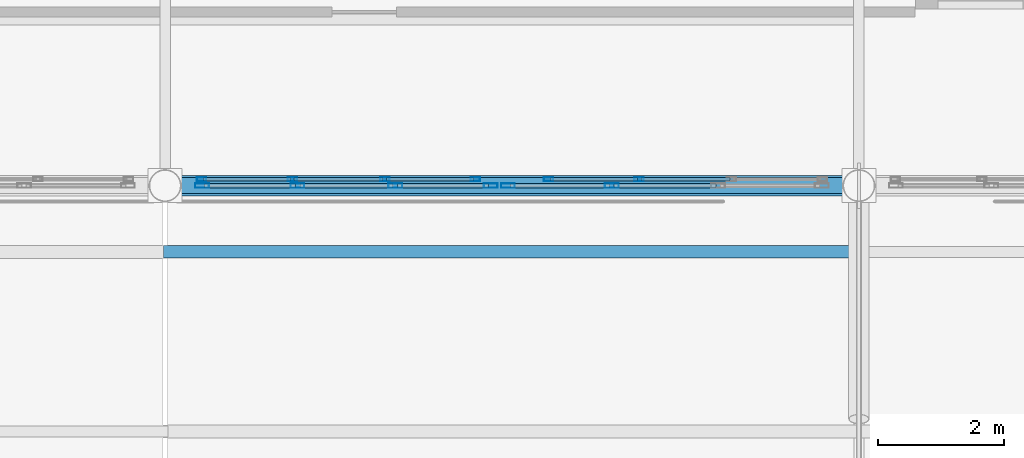
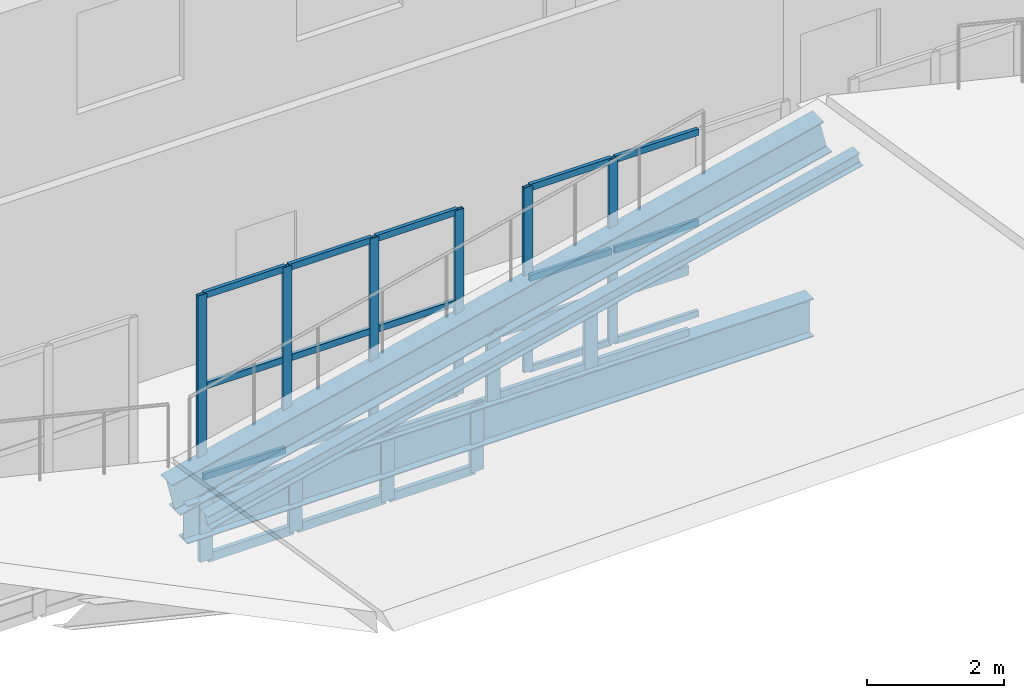
# One storey, part 49 of 120: 38 members, 2 beams, 4 elements without a shape of their own.
"""IFC4 building model written with IfcOpenShell, lengths in metres."""

from ifc_helpers import new_model, si_unit, direction, frame, origin, origin_2d, place, context, subcontext, project, spatial, hollow_rectangle, i_section, extrude, material, material_profile, profile_set, type_object, element, aggregate, save


model = new_model("IFC4")

# Units and contexts
model_context = context("Model", 3, precision=1e-05, world=origin(), true_north=direction((0.0, 1.0)))
body_context = subcontext(model_context, "Body", "Model", "MODEL_VIEW")
ifc_project = project(units=[si_unit("LENGTHUNIT", "METRE"), si_unit("AREAUNIT", "SQUARE_METRE"), si_unit("VOLUMEUNIT", "CUBIC_METRE"), si_unit("PLANEANGLEUNIT", "RADIAN"), si_unit("MASSUNIT", "GRAM", prefix="KILO")], contexts=[model_context])

# Site, building, storey
site_placement = place(None, origin())
site = spatial("IfcSite", under=ifc_project, at=site_placement, CompositionType="ELEMENT")
building_placement = place(site_placement, origin())
building = spatial("IfcBuilding", under=site, at=building_placement, Name="Caurita Quay Ferry Terminal", CompositionType="ELEMENT")
storey_placement = place(building_placement, frame((0.0, 0.0, 9.89990234375)))
storey = spatial("IfcBuildingStorey", under=building, at=storey_placement, Name="L02", CompositionType="ELEMENT", Elevation=9.89990234375)

# Beams
ifc_material_1 = material(Name="Structural steel ASTM A992 Gr. 50", Category="steel")
ifc_material_profile_1 = material_profile(ifc_material_1, i_section(OverallWidth=0.3251953125, OverallDepth=0.612060546875, WebThickness=0.0126953125, FlangeThickness=0.01904296875, FilletRadius=0.01513671875, at=origin_2d()), Name="W24X104")
ifc_profile_set_1 = profile_set([ifc_material_profile_1], Name="Structural steel ASTM A992 Gr. 50")
beam_type_1 = type_object("IfcBeamType", Name="BM-GR-W24A", PredefinedType="BEAM", material=ifc_profile_set_1)
beam_1_placement = place(storey_placement, frame((110.199951171875, 62.699951171875, -0.02978515625), z_axis=(0.972389456854, 0.0, 0.233363973654), x_axis=(0.0, 1.0, 0.0)))
element("IfcBeam", 1, at=beam_1_placement, inside=storey, type_object=beam_type_1, Name="Folded Roof Gable Ring Girder V2-N-110", PredefinedType="BEAM", context=body_context, shape_type="SweptSolid", body=[
    extrude(i_section(OverallWidth=0.3251953125, OverallDepth=0.612060546875, WebThickness=0.0126953125, FlangeThickness=0.01904296875, FilletRadius=0.01513671875, at=origin_2d()), origin(), (0.0, 0.0, 1.0), 11.312255859375),
])
ifc_material_profile_2 = material_profile(ifc_material_1, i_section(OverallWidth=0.25390625, OverallDepth=0.68310546875, WebThickness=0.012451171875, FlangeThickness=0.018798828125, at=origin_2d()), Name="W27X94")
ifc_profile_set_2 = profile_set([ifc_material_profile_2], Name="Structural steel ASTM A992 Gr. 50")
beam_type_2 = type_object("IfcBeamType", Name="BM-GR-W27B", PredefinedType="BEAM", material=ifc_profile_set_2)
beam_2_placement = place(storey_placement, frame((110.416015625, 62.699951171875, -0.5615234375), z_axis=(1.0, 0.0, 0.0), x_axis=(0.0, 1.0, 0.0)))
element("IfcBeam", 2, at=beam_2_placement, inside=storey, type_object=beam_type_2, Name="L02 Beam BM-V2-L02-X-1104-627", PredefinedType="BEAM", context=body_context, shape_type="SweptSolid", body=[
    extrude(i_section(OverallWidth=0.25390625, OverallDepth=0.68310546875, WebThickness=0.012451171875, FlangeThickness=0.018798828125, at=origin_2d()), origin(), (0.0, 0.0, 1.0), 10.568115234375),
])

# Curtain wall, members
ifc_material_2 = material(Name="Laminated solar-control insulated glass", Category="glass")
curtain_wall_type_1 = type_object("IfcCurtainWallType", Name="CW-SYS-13", PredefinedType="NOTDEFINED", material=ifc_material_2)
curtain_wall_1_placement = place(storey_placement, origin())
curtain_wall_1 = element("IfcCurtainWall", 3, at=curtain_wall_1_placement, inside=storey, type_object=curtain_wall_type_1, Name="Mezzanine Hall Overlook Glazing 109", PredefinedType="NOTDEFINED")
ifc_material_3 = material(Name="Anodized aluminium 6063-T6", Category="aluminium")
ifc_material_profile_3 = material_profile(ifc_material_3, hollow_rectangle(XDim=0.06005859375, YDim=0.14990234375, WallThickness=0.00341796875, at=origin_2d()), Name="ALU-MUL-60X150")
ifc_profile_set_3 = profile_set([ifc_material_profile_3], Name="Anodized aluminium 6063-T6")
member_type_1 = type_object("IfcMemberType", Name="CW-MUL-150", PredefinedType="MULLION", material=ifc_profile_set_3)
member_1_placement = place(storey_placement, frame((110.780029296875, 62.800048828125, 0.0), z_axis=(0.0, 0.0, 1.0), x_axis=(0.0, 1.0, 0.0)))
member_1 = element("IfcMember", 4, at=member_1_placement, type_object=member_type_1, Name="CW-MZL-109 Mullion 1", PredefinedType="MULLION", context=body_context, shape_type="SweptSolid", body=[
    extrude(hollow_rectangle(XDim=0.06005859375, YDim=0.14990234375, WallThickness=0.00341796875, at=origin_2d()), origin(), (0.0, 0.0, 1.0), 3.300048828125),
])
member_2_placement = place(storey_placement, frame((112.216796875, 62.800048828125, 0.0), z_axis=(0.0, 0.0, 1.0), x_axis=(0.0, 1.0, 0.0)))
member_2 = element("IfcMember", 5, at=member_2_placement, type_object=member_type_1, Name="CW-MZL-109 Mullion 2", PredefinedType="MULLION", context=body_context, shape_type="SweptSolid", body=[
    extrude(hollow_rectangle(XDim=0.06005859375, YDim=0.14990234375, WallThickness=0.00341796875, at=origin_2d()), origin(), (0.0, 0.0, 1.0), 3.300048828125),
])
member_3_placement = place(storey_placement, frame((113.683349609375, 62.800048828125, 0.0), z_axis=(0.0, 0.0, 1.0), x_axis=(0.0, 1.0, 0.0)))
member_3 = element("IfcMember", 6, at=member_3_placement, type_object=member_type_1, Name="CW-MZL-109 Mullion 3", PredefinedType="MULLION", context=body_context, shape_type="SweptSolid", body=[
    extrude(hollow_rectangle(XDim=0.06005859375, YDim=0.14990234375, WallThickness=0.00341796875, at=origin_2d()), origin(), (0.0, 0.0, 1.0), 3.300048828125),
])
member_4_placement = place(storey_placement, frame((115.1201171875, 62.800048828125, 0.0), z_axis=(0.0, 0.0, 1.0), x_axis=(0.0, 1.0, 0.0)))
member_4 = element("IfcMember", 7, at=member_4_placement, type_object=member_type_1, Name="CW-MZL-109 Mullion 4", PredefinedType="MULLION", context=body_context, shape_type="SweptSolid", body=[
    extrude(hollow_rectangle(XDim=0.06005859375, YDim=0.14990234375, WallThickness=0.00341796875, at=origin_2d()), origin(), (0.0, 0.0, 1.0), 3.300048828125),
])

curtain_wall_2_placement = place(storey_placement, origin())
curtain_wall_2 = element("IfcCurtainWall", 8, at=curtain_wall_2_placement, inside=storey, type_object=curtain_wall_type_1, Name="Mezzanine Hall Overlook Glazing 110", PredefinedType="NOTDEFINED")
member_5_placement = place(storey_placement, frame((116.280029296875, 62.800048828125, 0.0), z_axis=(0.0, 0.0, 1.0), x_axis=(0.0, 1.0, 0.0)))
member_5 = element("IfcMember", 9, at=member_5_placement, type_object=member_type_1, Name="CW-MZL-110 Mullion 1", PredefinedType="MULLION", context=body_context, shape_type="SweptSolid", body=[
    extrude(hollow_rectangle(XDim=0.06005859375, YDim=0.14990234375, WallThickness=0.00341796875, at=origin_2d()), origin(), (0.0, 0.0, 1.0), 3.300048828125),
])
member_6_placement = place(storey_placement, frame((117.716796875, 62.800048828125, 0.0), z_axis=(0.0, 0.0, 1.0), x_axis=(0.0, 1.0, 0.0)))
member_6 = element("IfcMember", 10, at=member_6_placement, type_object=member_type_1, Name="CW-MZL-110 Mullion 2", PredefinedType="MULLION", context=body_context, shape_type="SweptSolid", body=[
    extrude(hollow_rectangle(XDim=0.06005859375, YDim=0.14990234375, WallThickness=0.00341796875, at=origin_2d()), origin(), (0.0, 0.0, 1.0), 3.300048828125),
])

curtain_wall_type_2 = type_object("IfcCurtainWallType", Name="CW-SYS-05", PredefinedType="NOTDEFINED", material=ifc_material_2)
curtain_wall_3_placement = place(storey_placement, origin())
curtain_wall_3 = element("IfcCurtainWall", 11, at=curtain_wall_3_placement, inside=storey, type_object=curtain_wall_type_2, Name="Folded Roof Clerestory FB-06-N1", PredefinedType="NOTDEFINED")
ifc_material_profile_4 = material_profile(ifc_material_3, hollow_rectangle(XDim=0.074951171875, YDim=0.219970703125, WallThickness=0.00390625, at=origin_2d()), Name="ALU-MUL-75X220")
ifc_profile_set_4 = profile_set([ifc_material_profile_4], Name="Anodized aluminium 6063-T6")
member_type_2 = type_object("IfcMemberType", Name="CW-MUL-220", PredefinedType="MULLION", material=ifc_profile_set_4)
member_7_placement = place(storey_placement, frame((110.78759765625, 62.699951171875, -1.3828125), z_axis=(0.0, 0.0, 1.0), x_axis=(0.0, 1.0, 0.0)))
member_7 = element("IfcMember", 12, at=member_7_placement, type_object=member_type_2, Name="CW-CLR-045 Mullion 1", PredefinedType="MULLION", context=body_context, shape_type="SweptSolid", body=[
    extrude(hollow_rectangle(XDim=0.074951171875, YDim=0.219970703125, WallThickness=0.00390625, at=origin_2d()), origin(), (0.0, 0.0, 1.0), 1.199951171875),
])
member_8_placement = place(storey_placement, frame((112.300048828125, 62.699951171875, -1.3828125), z_axis=(0.0, 0.0, 1.0), x_axis=(0.0, 1.0, 0.0)))
member_8 = element("IfcMember", 13, at=member_8_placement, type_object=member_type_2, Name="CW-CLR-045 Mullion 2", PredefinedType="MULLION", context=body_context, shape_type="SweptSolid", body=[
    extrude(hollow_rectangle(XDim=0.074951171875, YDim=0.219970703125, WallThickness=0.00390625, at=origin_2d()), origin(), (0.0, 0.0, 1.0), 1.199951171875),
])
member_9_placement = place(storey_placement, frame((113.85009765625, 62.699951171875, -1.3828125), z_axis=(0.0, 0.0, 1.0), x_axis=(0.0, 1.0, 0.0)))
member_9 = element("IfcMember", 14, at=member_9_placement, type_object=member_type_2, Name="CW-CLR-045 Mullion 3", PredefinedType="MULLION", context=body_context, shape_type="SweptSolid", body=[
    extrude(hollow_rectangle(XDim=0.074951171875, YDim=0.219970703125, WallThickness=0.00390625, at=origin_2d()), origin(), (0.0, 0.0, 1.0), 1.199951171875),
])
member_10_placement = place(storey_placement, frame((115.362548828125, 62.699951171875, -1.3828125), z_axis=(0.0, 0.0, 1.0), x_axis=(0.0, 1.0, 0.0)))
member_10 = element("IfcMember", 15, at=member_10_placement, type_object=member_type_2, Name="CW-CLR-045 Mullion 4", PredefinedType="MULLION", context=body_context, shape_type="SweptSolid", body=[
    extrude(hollow_rectangle(XDim=0.074951171875, YDim=0.219970703125, WallThickness=0.00390625, at=origin_2d()), origin(), (0.0, 0.0, 1.0), 1.199951171875),
])

curtain_wall_type_3 = type_object("IfcCurtainWallType", Name="CW-SYS-06", PredefinedType="NOTDEFINED", material=ifc_material_2)
curtain_wall_4_placement = place(storey_placement, origin())
curtain_wall_4 = element("IfcCurtainWall", 16, at=curtain_wall_4_placement, inside=storey, type_object=curtain_wall_type_3, Name="Folded Roof Clerestory FB-06-N2", PredefinedType="NOTDEFINED")
member_11_placement = place(storey_placement, frame((115.637451171875, 62.699951171875, -0.218994140625), z_axis=(0.0, 0.0, 1.0), x_axis=(0.0, 1.0, 0.0)))
member_11 = element("IfcMember", 17, at=member_11_placement, type_object=member_type_2, Name="CW-CLR-046 Mullion 1", PredefinedType="MULLION", context=body_context, shape_type="SweptSolid", body=[
    extrude(hollow_rectangle(XDim=0.074951171875, YDim=0.219970703125, WallThickness=0.00390625, at=origin_2d()), origin(), (0.0, 0.0, 1.0), 1.2001953125),
])
member_12_placement = place(storey_placement, frame((117.283203125, 62.699951171875, -0.218994140625), z_axis=(0.0, 0.0, 1.0), x_axis=(0.0, 1.0, 0.0)))
member_12 = element("IfcMember", 18, at=member_12_placement, type_object=member_type_2, Name="CW-CLR-046 Mullion 2", PredefinedType="MULLION", context=body_context, shape_type="SweptSolid", body=[
    extrude(hollow_rectangle(XDim=0.074951171875, YDim=0.219970703125, WallThickness=0.00390625, at=origin_2d()), origin(), (0.0, 0.0, 1.0), 1.2001953125),
])

# Member
ifc_material_profile_5 = material_profile(ifc_material_3, hollow_rectangle(XDim=0.06005859375, YDim=0.114990234375, WallThickness=0.00341796875, at=origin_2d()), Name="ALU-TRN-60X115")
ifc_profile_set_5 = profile_set([ifc_material_profile_5], Name="Anodized aluminium 6063-T6")
member_type_3 = type_object("IfcMemberType", Name="CW-TRN-115", PredefinedType="USERDEFINED", material=ifc_profile_set_5)
member_13_placement = place(storey_placement, frame((110.80810546875, 62.800048828125, 0.030029296875), z_axis=(1.0, 0.0, 0.0), x_axis=(0.0, 1.0, 0.0)))
member_13 = element("IfcMember", 19, at=member_13_placement, type_object=member_type_3, Name="CW-MZL-109 Transom 1", ObjectType="TRANSOM", PredefinedType="USERDEFINED", context=body_context, shape_type="SweptSolid", body=[
    extrude(hollow_rectangle(XDim=0.06005859375, YDim=0.114990234375, WallThickness=0.00341796875, at=origin_2d()), origin(), (0.0, 0.0, 1.0), 1.380615234375),
])

member_14_placement = place(storey_placement, frame((110.80810546875, 62.800048828125, 1.650146484375), z_axis=(1.0, 0.0, 0.0), x_axis=(0.0, 1.0, 0.0)))
member_14 = element("IfcMember", 20, at=member_14_placement, type_object=member_type_3, Name="CW-MZL-109 Transom 2", ObjectType="TRANSOM", PredefinedType="USERDEFINED", context=body_context, shape_type="SweptSolid", body=[
    extrude(hollow_rectangle(XDim=0.06005859375, YDim=0.114990234375, WallThickness=0.00341796875, at=origin_2d()), origin(), (0.0, 0.0, 1.0), 1.380615234375),
])

member_15_placement = place(storey_placement, frame((110.80810546875, 62.800048828125, 3.27001953125), z_axis=(1.0, 0.0, 0.0), x_axis=(0.0, 1.0, 0.0)))
member_15 = element("IfcMember", 21, at=member_15_placement, type_object=member_type_3, Name="CW-MZL-109 Transom 3", ObjectType="TRANSOM", PredefinedType="USERDEFINED", context=body_context, shape_type="SweptSolid", body=[
    extrude(hollow_rectangle(XDim=0.06005859375, YDim=0.114990234375, WallThickness=0.00341796875, at=origin_2d()), origin(), (0.0, 0.0, 1.0), 1.380615234375),
])

member_16_placement = place(storey_placement, frame((112.24462890625, 62.800048828125, 0.030029296875), z_axis=(1.0, 0.0, 0.0), x_axis=(0.0, 1.0, 0.0)))
member_16 = element("IfcMember", 22, at=member_16_placement, type_object=member_type_3, Name="CW-MZL-109 Transom 4", ObjectType="TRANSOM", PredefinedType="USERDEFINED", context=body_context, shape_type="SweptSolid", body=[
    extrude(hollow_rectangle(XDim=0.06005859375, YDim=0.114990234375, WallThickness=0.00341796875, at=origin_2d()), origin(), (0.0, 0.0, 1.0), 1.41064453125),
])

member_17_placement = place(storey_placement, frame((112.24462890625, 62.800048828125, 1.650146484375), z_axis=(1.0, 0.0, 0.0), x_axis=(0.0, 1.0, 0.0)))
member_17 = element("IfcMember", 23, at=member_17_placement, type_object=member_type_3, Name="CW-MZL-109 Transom 5", ObjectType="TRANSOM", PredefinedType="USERDEFINED", context=body_context, shape_type="SweptSolid", body=[
    extrude(hollow_rectangle(XDim=0.06005859375, YDim=0.114990234375, WallThickness=0.00341796875, at=origin_2d()), origin(), (0.0, 0.0, 1.0), 1.41064453125),
])

member_18_placement = place(storey_placement, frame((112.24462890625, 62.800048828125, 3.27001953125), z_axis=(1.0, 0.0, 0.0), x_axis=(0.0, 1.0, 0.0)))
member_18 = element("IfcMember", 24, at=member_18_placement, type_object=member_type_3, Name="CW-MZL-109 Transom 6", ObjectType="TRANSOM", PredefinedType="USERDEFINED", context=body_context, shape_type="SweptSolid", body=[
    extrude(hollow_rectangle(XDim=0.06005859375, YDim=0.114990234375, WallThickness=0.00341796875, at=origin_2d()), origin(), (0.0, 0.0, 1.0), 1.41064453125),
])

member_19_placement = place(storey_placement, frame((113.711181640625, 62.800048828125, 0.030029296875), z_axis=(1.0, 0.0, 0.0), x_axis=(0.0, 1.0, 0.0)))
member_19 = element("IfcMember", 25, at=member_19_placement, type_object=member_type_3, Name="CW-MZL-109 Transom 7", ObjectType="TRANSOM", PredefinedType="USERDEFINED", context=body_context, shape_type="SweptSolid", body=[
    extrude(hollow_rectangle(XDim=0.06005859375, YDim=0.114990234375, WallThickness=0.00341796875, at=origin_2d()), origin(), (0.0, 0.0, 1.0), 1.380859375),
])

member_20_placement = place(storey_placement, frame((113.711181640625, 62.800048828125, 1.650146484375), z_axis=(1.0, 0.0, 0.0), x_axis=(0.0, 1.0, 0.0)))
member_20 = element("IfcMember", 26, at=member_20_placement, type_object=member_type_3, Name="CW-MZL-109 Transom 8", ObjectType="TRANSOM", PredefinedType="USERDEFINED", context=body_context, shape_type="SweptSolid", body=[
    extrude(hollow_rectangle(XDim=0.06005859375, YDim=0.114990234375, WallThickness=0.00341796875, at=origin_2d()), origin(), (0.0, 0.0, 1.0), 1.380859375),
])

member_21_placement = place(storey_placement, frame((113.711181640625, 62.800048828125, 3.27001953125), z_axis=(1.0, 0.0, 0.0), x_axis=(0.0, 1.0, 0.0)))
member_21 = element("IfcMember", 27, at=member_21_placement, type_object=member_type_3, Name="CW-MZL-109 Transom 9", ObjectType="TRANSOM", PredefinedType="USERDEFINED", context=body_context, shape_type="SweptSolid", body=[
    extrude(hollow_rectangle(XDim=0.06005859375, YDim=0.114990234375, WallThickness=0.00341796875, at=origin_2d()), origin(), (0.0, 0.0, 1.0), 1.380859375),
])

aggregate(curtain_wall_1, [member_1, member_2, member_3, member_4, member_13, member_14, member_15, member_16, member_17, member_18, member_19, member_20, member_21])

member_22_placement = place(storey_placement, frame((116.30810546875, 62.800048828125, 0.030029296875), z_axis=(1.0, 0.0, 0.0), x_axis=(0.0, 1.0, 0.0)))
member_22 = element("IfcMember", 28, at=member_22_placement, type_object=member_type_3, Name="CW-MZL-110 Transom 1", ObjectType="TRANSOM", PredefinedType="USERDEFINED", context=body_context, shape_type="SweptSolid", body=[
    extrude(hollow_rectangle(XDim=0.06005859375, YDim=0.114990234375, WallThickness=0.00341796875, at=origin_2d()), origin(), (0.0, 0.0, 1.0), 1.380615234375),
])

member_23_placement = place(storey_placement, frame((116.30810546875, 62.800048828125, 1.650146484375), z_axis=(1.0, 0.0, 0.0), x_axis=(0.0, 1.0, 0.0)))
member_23 = element("IfcMember", 29, at=member_23_placement, type_object=member_type_3, Name="CW-MZL-110 Transom 2", ObjectType="TRANSOM", PredefinedType="USERDEFINED", context=body_context, shape_type="SweptSolid", body=[
    extrude(hollow_rectangle(XDim=0.06005859375, YDim=0.114990234375, WallThickness=0.00341796875, at=origin_2d()), origin(), (0.0, 0.0, 1.0), 1.380615234375),
])

member_24_placement = place(storey_placement, frame((116.30810546875, 62.800048828125, 3.27001953125), z_axis=(1.0, 0.0, 0.0), x_axis=(0.0, 1.0, 0.0)))
member_24 = element("IfcMember", 30, at=member_24_placement, type_object=member_type_3, Name="CW-MZL-110 Transom 3", ObjectType="TRANSOM", PredefinedType="USERDEFINED", context=body_context, shape_type="SweptSolid", body=[
    extrude(hollow_rectangle(XDim=0.06005859375, YDim=0.114990234375, WallThickness=0.00341796875, at=origin_2d()), origin(), (0.0, 0.0, 1.0), 1.380615234375),
])

member_25_placement = place(storey_placement, frame((117.74462890625, 62.800048828125, 0.030029296875), z_axis=(1.0, 0.0, 0.0), x_axis=(0.0, 1.0, 0.0)))
member_25 = element("IfcMember", 31, at=member_25_placement, type_object=member_type_3, Name="CW-MZL-110 Transom 4", ObjectType="TRANSOM", PredefinedType="USERDEFINED", context=body_context, shape_type="SweptSolid", body=[
    extrude(hollow_rectangle(XDim=0.06005859375, YDim=0.114990234375, WallThickness=0.00341796875, at=origin_2d()), origin(), (0.0, 0.0, 1.0), 1.41064453125),
])

member_26_placement = place(storey_placement, frame((117.74462890625, 62.800048828125, 1.650146484375), z_axis=(1.0, 0.0, 0.0), x_axis=(0.0, 1.0, 0.0)))
member_26 = element("IfcMember", 32, at=member_26_placement, type_object=member_type_3, Name="CW-MZL-110 Transom 5", ObjectType="TRANSOM", PredefinedType="USERDEFINED", context=body_context, shape_type="SweptSolid", body=[
    extrude(hollow_rectangle(XDim=0.06005859375, YDim=0.114990234375, WallThickness=0.00341796875, at=origin_2d()), origin(), (0.0, 0.0, 1.0), 1.41064453125),
])

member_27_placement = place(storey_placement, frame((117.74462890625, 62.800048828125, 3.27001953125), z_axis=(1.0, 0.0, 0.0), x_axis=(0.0, 1.0, 0.0)))
member_27 = element("IfcMember", 33, at=member_27_placement, type_object=member_type_3, Name="CW-MZL-110 Transom 6", ObjectType="TRANSOM", PredefinedType="USERDEFINED", context=body_context, shape_type="SweptSolid", body=[
    extrude(hollow_rectangle(XDim=0.06005859375, YDim=0.114990234375, WallThickness=0.00341796875, at=origin_2d()), origin(), (0.0, 0.0, 1.0), 1.41064453125),
])

aggregate(curtain_wall_2, [member_5, member_6, member_22, member_23, member_24, member_25, member_26, member_27])

ifc_material_profile_6 = material_profile(ifc_material_3, hollow_rectangle(XDim=0.074951171875, YDim=0.159912109375, WallThickness=0.00390625, at=origin_2d()), Name="ALU-TRN-75X160")
ifc_profile_set_6 = profile_set([ifc_material_profile_6], Name="Anodized aluminium 6063-T6")
member_type_4 = type_object("IfcMemberType", Name="CW-TRN-160", PredefinedType="USERDEFINED", material=ifc_profile_set_6)
member_28_placement = place(storey_placement, frame((110.822998046875, 62.699951171875, -1.345458984375), z_axis=(1.0, 0.0, 0.0), x_axis=(0.0, 1.0, 0.0)))
member_28 = element("IfcMember", 34, at=member_28_placement, type_object=member_type_4, Name="CW-CLR-045 Transom 1", ObjectType="TRANSOM", PredefinedType="USERDEFINED", context=body_context, shape_type="SweptSolid", body=[
    extrude(hollow_rectangle(XDim=0.074951171875, YDim=0.159912109375, WallThickness=0.00390625, at=origin_2d()), origin(), (0.0, 0.0, 1.0), 1.44140625),
])

member_29_placement = place(storey_placement, frame((110.822998046875, 62.699951171875, -0.220458984375), z_axis=(1.0, 0.0, 0.0), x_axis=(0.0, 1.0, 0.0)))
member_29 = element("IfcMember", 35, at=member_29_placement, type_object=member_type_4, Name="CW-CLR-045 Transom 2", ObjectType="TRANSOM", PredefinedType="USERDEFINED", context=body_context, shape_type="SweptSolid", body=[
    extrude(hollow_rectangle(XDim=0.074951171875, YDim=0.159912109375, WallThickness=0.00390625, at=origin_2d()), origin(), (0.0, 0.0, 1.0), 1.44140625),
])

member_30_placement = place(storey_placement, frame((112.33544921875, 62.699951171875, -1.345458984375), z_axis=(1.0, 0.0, 0.0), x_axis=(0.0, 1.0, 0.0)))
member_30 = element("IfcMember", 36, at=member_30_placement, type_object=member_type_4, Name="CW-CLR-045 Transom 3", ObjectType="TRANSOM", PredefinedType="USERDEFINED", context=body_context, shape_type="SweptSolid", body=[
    extrude(hollow_rectangle(XDim=0.074951171875, YDim=0.159912109375, WallThickness=0.00390625, at=origin_2d()), origin(), (0.0, 0.0, 1.0), 1.47900390625),
])

member_31_placement = place(storey_placement, frame((112.33544921875, 62.699951171875, -0.220458984375), z_axis=(1.0, 0.0, 0.0), x_axis=(0.0, 1.0, 0.0)))
member_31 = element("IfcMember", 37, at=member_31_placement, type_object=member_type_4, Name="CW-CLR-045 Transom 4", ObjectType="TRANSOM", PredefinedType="USERDEFINED", context=body_context, shape_type="SweptSolid", body=[
    extrude(hollow_rectangle(XDim=0.074951171875, YDim=0.159912109375, WallThickness=0.00390625, at=origin_2d()), origin(), (0.0, 0.0, 1.0), 1.47900390625),
])

member_32_placement = place(storey_placement, frame((113.885498046875, 62.699951171875, -1.345458984375), z_axis=(1.0, 0.0, 0.0), x_axis=(0.0, 1.0, 0.0)))
member_32 = element("IfcMember", 38, at=member_32_placement, type_object=member_type_4, Name="CW-CLR-045 Transom 5", ObjectType="TRANSOM", PredefinedType="USERDEFINED", context=body_context, shape_type="SweptSolid", body=[
    extrude(hollow_rectangle(XDim=0.074951171875, YDim=0.159912109375, WallThickness=0.00390625, at=origin_2d()), origin(), (0.0, 0.0, 1.0), 1.44140625),
])

member_33_placement = place(storey_placement, frame((113.885498046875, 62.699951171875, -0.220458984375), z_axis=(1.0, 0.0, 0.0), x_axis=(0.0, 1.0, 0.0)))
member_33 = element("IfcMember", 39, at=member_33_placement, type_object=member_type_4, Name="CW-CLR-045 Transom 6", ObjectType="TRANSOM", PredefinedType="USERDEFINED", context=body_context, shape_type="SweptSolid", body=[
    extrude(hollow_rectangle(XDim=0.074951171875, YDim=0.159912109375, WallThickness=0.00390625, at=origin_2d()), origin(), (0.0, 0.0, 1.0), 1.44140625),
])

aggregate(curtain_wall_3, [member_7, member_8, member_9, member_10, member_28, member_29, member_30, member_31, member_32, member_33])

member_34_placement = place(storey_placement, frame((115.673095703125, 62.699951171875, -0.181396484375), z_axis=(1.0, 0.0, 0.0), x_axis=(0.0, 1.0, 0.0)))
member_34 = element("IfcMember", 40, at=member_34_placement, type_object=member_type_4, Name="CW-CLR-046 Transom 1", ObjectType="TRANSOM", PredefinedType="USERDEFINED", context=body_context, shape_type="SweptSolid", body=[
    extrude(hollow_rectangle(XDim=0.074951171875, YDim=0.159912109375, WallThickness=0.00390625, at=origin_2d()), origin(), (0.0, 0.0, 1.0), 1.57470703125),
])

member_35_placement = place(storey_placement, frame((115.673095703125, 62.699951171875, 0.943603515625), z_axis=(1.0, 0.0, 0.0), x_axis=(0.0, 1.0, 0.0)))
member_35 = element("IfcMember", 41, at=member_35_placement, type_object=member_type_4, Name="CW-CLR-046 Transom 2", ObjectType="TRANSOM", PredefinedType="USERDEFINED", context=body_context, shape_type="SweptSolid", body=[
    extrude(hollow_rectangle(XDim=0.074951171875, YDim=0.159912109375, WallThickness=0.00390625, at=origin_2d()), origin(), (0.0, 0.0, 1.0), 1.57470703125),
])

member_36_placement = place(storey_placement, frame((117.31884765625, 62.699951171875, -0.181396484375), z_axis=(1.0, 0.0, 0.0), x_axis=(0.0, 1.0, 0.0)))
member_36 = element("IfcMember", 42, at=member_36_placement, type_object=member_type_4, Name="CW-CLR-046 Transom 3", ObjectType="TRANSOM", PredefinedType="USERDEFINED", context=body_context, shape_type="SweptSolid", body=[
    extrude(hollow_rectangle(XDim=0.074951171875, YDim=0.159912109375, WallThickness=0.00390625, at=origin_2d()), origin(), (0.0, 0.0, 1.0), 1.6123046875),
])

member_37_placement = place(storey_placement, frame((117.31884765625, 62.699951171875, 0.943603515625), z_axis=(1.0, 0.0, 0.0), x_axis=(0.0, 1.0, 0.0)))
member_37 = element("IfcMember", 43, at=member_37_placement, type_object=member_type_4, Name="CW-CLR-046 Transom 4", ObjectType="TRANSOM", PredefinedType="USERDEFINED", context=body_context, shape_type="SweptSolid", body=[
    extrude(hollow_rectangle(XDim=0.074951171875, YDim=0.159912109375, WallThickness=0.00390625, at=origin_2d()), origin(), (0.0, 0.0, 1.0), 1.6123046875),
])

aggregate(curtain_wall_4, [member_11, member_12, member_34, member_35, member_36, member_37])

ifc_material_profile_7 = material_profile(ifc_material_1, i_section(OverallWidth=0.2021484375, OverallDepth=0.246337890625, WebThickness=0.00732421875, FlangeThickness=0.010986328125, FilletRadius=0.01025390625, at=origin_2d()), Name="W10X33")
ifc_profile_set_7 = profile_set([ifc_material_profile_7], Name="Structural steel ASTM A992 Gr. 50")
member_type_5 = type_object("IfcMemberType", Name="MEM-PUR-10", PredefinedType="PURLIN", material=ifc_profile_set_7)
member_38_placement = place(storey_placement, frame((110.199951171875, 61.64990234375, 0.168212890625), z_axis=(0.972389456854, 0.0, 0.233363973654), x_axis=(0.0, 1.0, 0.0)))
element("IfcMember", 44, at=member_38_placement, inside=storey, type_object=member_type_5, Name="Folded Roof Purlin PUR-110", PredefinedType="PURLIN", context=body_context, shape_type="SweptSolid", body=[
    extrude(i_section(OverallWidth=0.2021484375, OverallDepth=0.246337890625, WebThickness=0.00732421875, FlangeThickness=0.010986328125, FilletRadius=0.01025390625, at=origin_2d()), origin(), (0.0, 0.0, 1.0), 11.312255859375),
])

save(model, "model.ifc")
